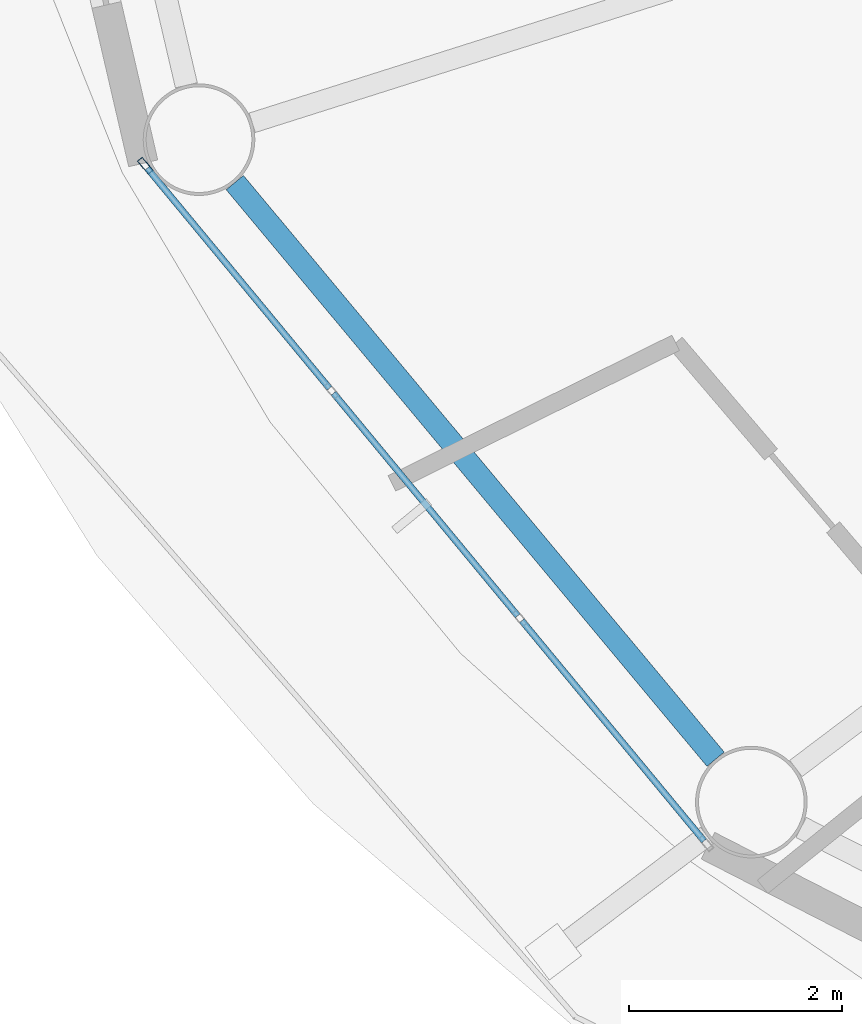
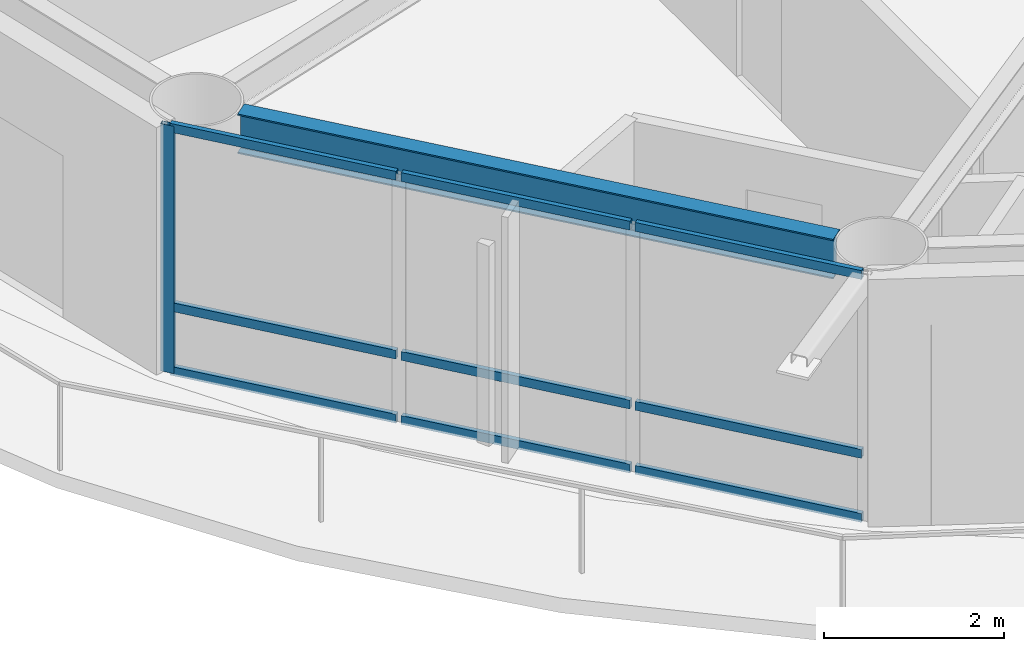
# One storey, part 3 of 23: 10 members, 1 beam, 1 element without a shape of its own.
"""IFC4 building model written with IfcOpenShell, lengths in metres."""

from ifc_helpers import new_model, si_unit, direction, frame, origin, origin_2d, place, context, subcontext, project, spatial, hollow_rectangle, i_section, extrude, material, layer, layer_set, material_profile, profile_set, type_object, element, aggregate, save


model = new_model("IFC4")

# Units and contexts
model_context = context("Model", 3, precision=1e-05, world=origin(), true_north=direction((0.0, 1.0)))
body_context = subcontext(model_context, "Body", "Model", "MODEL_VIEW")
ifc_project = project(units=[si_unit("LENGTHUNIT", "METRE"), si_unit("AREAUNIT", "SQUARE_METRE"), si_unit("VOLUMEUNIT", "CUBIC_METRE"), si_unit("PLANEANGLEUNIT", "RADIAN"), si_unit("MASSUNIT", "GRAM", prefix="KILO")], contexts=[model_context])

# Site, building, storey
site_placement = place(None, origin())
site = spatial("IfcSite", under=ifc_project, at=site_placement, CompositionType="ELEMENT")
building_placement = place(site_placement, origin())
building = spatial("IfcBuilding", under=site, at=building_placement, Name="Sarneth Arch Tower", CompositionType="ELEMENT")
storey_placement = place(building_placement, frame((0.0, 0.0, 246.0)))
storey = spatial("IfcBuildingStorey", under=building, at=storey_placement, Name="L63", CompositionType="ELEMENT", Elevation=246.0)

# Beam
ifc_material_1 = material(Name="Steel S355", Category="steel")
ifc_material_profile_1 = material_profile(ifc_material_1, i_section(OverallWidth=0.2109375, OverallDepth=0.5390625, WebThickness=0.01171875, FlangeThickness=0.018798828125, FilletRadius=0.01806640625, at=origin_2d()), Name="W530x109")
ifc_profile_set_1 = profile_set([ifc_material_profile_1], Name="Steel S355")
beam_type = type_object("IfcBeamType", Name="BM-RAD-530B", PredefinedType="BEAM", material=ifc_profile_set_1)
beam_placement = place(storey_placement, frame((25.16748046875, 34.249267578125, 3.090576171875), z_axis=(0.640364654985, -0.76807103099, 0.0), x_axis=(0.76807103099, 0.640364654985, 0.0)))
element("IfcBeam", 1, at=beam_placement, inside=storey, type_object=beam_type, Name="L63 Perimeter spandrel beam 10", PredefinedType="BEAM", context=body_context, shape_type="SweptSolid", body=[
    extrude(i_section(OverallWidth=0.2109375, OverallDepth=0.5390625, WebThickness=0.01171875, FlangeThickness=0.018798828125, FilletRadius=0.01806640625, at=origin_2d()), origin(), (0.0, 0.0, 1.0), 7.06005859375),
])

# Curtain wall, members
ifc_material_2 = material(Name="Anodised aluminium Type AA25 and solar-control low-e laminated IGU", Category="aluminium")
ifc_layer = layer(ifc_material_2, 0.179931640625)
ifc_layer_set = layer_set([ifc_layer], Name="Anodised aluminium Type AA25 and solar-control low-e laminated IGU")
curtain_wall_type = type_object("IfcCurtainWallType", Name="CW-RES-HIGH", PredefinedType="NOTDEFINED", material=ifc_layer_set)
curtain_wall_placement = place(storey_placement, origin())
curtain_wall = element("IfcCurtainWall", 2, at=curtain_wall_placement, inside=storey, type_object=curtain_wall_type, Name="L63 Unitised curtain wall facet 10", PredefinedType="NOTDEFINED")
ifc_material_3 = material(Name="Anodised Aluminium 6063-T6", Category="aluminium")
ifc_material_profile_2 = material_profile(ifc_material_3, hollow_rectangle(XDim=0.06005859375, YDim=0.159912109375, WallThickness=0.00390625, at=origin_2d()), Name="AL-MULL-160x60x4")
ifc_profile_set_2 = profile_set([ifc_material_profile_2], Name="Anodised Aluminium 6063-T6")
member_type_1 = type_object("IfcMemberType", Name="CW-MULLION", PredefinedType="MULLION", material=ifc_profile_set_2)
member_1_placement = place(storey_placement, frame((24.325439453125, 34.407470703125, 0.0), z_axis=(0.0, 0.0, 1.0), x_axis=(0.770359245933, 0.637610094184, 0.0)))
member_1 = element("IfcMember", 3, at=member_1_placement, type_object=member_type_1, Name="CW-SYS-6 mullion 1", PredefinedType="MULLION", context=body_context, shape_type="SweptSolid", body=[
    extrude(hollow_rectangle(XDim=0.06005859375, YDim=0.159912109375, WallThickness=0.00390625, at=origin_2d()), origin(), (0.0, 0.0, 1.0), 3.360107421875),
])
ifc_material_4 = material(Name="Anodised Aluminium 6063-T6", Category="aluminium")
ifc_material_profile_3 = material_profile(ifc_material_4, hollow_rectangle(XDim=0.06005859375, YDim=0.1201171875, WallThickness=0.00390625, at=origin_2d()), Name="AL-TRAN-120x60x4")
ifc_profile_set_3 = profile_set([ifc_material_profile_3], Name="Anodised Aluminium 6063-T6")
member_type_2 = type_object("IfcMemberType", Name="CW-TRANSOM", PredefinedType="USERDEFINED", material=ifc_profile_set_3)
member_2_placement = place(storey_placement, frame((24.344482421875, 34.38427734375, 0.030029296875), z_axis=(0.637651400067, -0.770325056059, 0.0), x_axis=(0.770325056059, 0.637651400067, 0.0)))
member_2 = element("IfcMember", 4, at=member_2_placement, type_object=member_type_2, Name="CW-SYS-6 transom 1.1", ObjectType="TRANSOM", PredefinedType="USERDEFINED", context=body_context, shape_type="SweptSolid", body=[
    extrude(hollow_rectangle(XDim=0.06005859375, YDim=0.1201171875, WallThickness=0.00390625, at=origin_2d()), origin(), (0.0, 0.0, 1.0), 2.6865234375),
])
member_3_placement = place(storey_placement, frame((24.344482421875, 34.38427734375, 0.89990234375), z_axis=(0.637651400067, -0.770325056059, 0.0), x_axis=(0.770325056059, 0.637651400067, 0.0)))
member_3 = element("IfcMember", 5, at=member_3_placement, type_object=member_type_2, Name="CW-SYS-6 transom 1.2", ObjectType="TRANSOM", PredefinedType="USERDEFINED", context=body_context, shape_type="SweptSolid", body=[
    extrude(hollow_rectangle(XDim=0.06005859375, YDim=0.1201171875, WallThickness=0.00390625, at=origin_2d()), origin(), (0.0, 0.0, 1.0), 2.6865234375),
])
member_4_placement = place(storey_placement, frame((24.344482421875, 34.38427734375, 3.330078125), z_axis=(0.637651400067, -0.770325056059, 0.0), x_axis=(0.770325056059, 0.637651400067, 0.0)))
member_4 = element("IfcMember", 6, at=member_4_placement, type_object=member_type_2, Name="CW-SYS-6 transom 1.3", ObjectType="TRANSOM", PredefinedType="USERDEFINED", context=body_context, shape_type="SweptSolid", body=[
    extrude(hollow_rectangle(XDim=0.06005859375, YDim=0.1201171875, WallThickness=0.00390625, at=origin_2d()), origin(), (0.0, 0.0, 1.0), 2.6865234375),
])
member_5_placement = place(storey_placement, frame((26.095703125, 32.268310546875, 0.030029296875), z_axis=(0.637617371902, -0.770353222261, 0.0), x_axis=(0.770353222261, 0.637617371902, 0.0)))
member_5 = element("IfcMember", 7, at=member_5_placement, type_object=member_type_2, Name="CW-SYS-6 transom 2.1", ObjectType="TRANSOM", PredefinedType="USERDEFINED", context=body_context, shape_type="SweptSolid", body=[
    extrude(hollow_rectangle(XDim=0.06005859375, YDim=0.1201171875, WallThickness=0.00390625, at=origin_2d()), origin(), (0.0, 0.0, 1.0), 2.716552734375),
])
member_6_placement = place(storey_placement, frame((26.095703125, 32.268310546875, 0.89990234375), z_axis=(0.637617371902, -0.770353222261, 0.0), x_axis=(0.770353222261, 0.637617371902, 0.0)))
member_6 = element("IfcMember", 8, at=member_6_placement, type_object=member_type_2, Name="CW-SYS-6 transom 2.2", ObjectType="TRANSOM", PredefinedType="USERDEFINED", context=body_context, shape_type="SweptSolid", body=[
    extrude(hollow_rectangle(XDim=0.06005859375, YDim=0.1201171875, WallThickness=0.00390625, at=origin_2d()), origin(), (0.0, 0.0, 1.0), 2.716552734375),
])
member_7_placement = place(storey_placement, frame((26.095703125, 32.268310546875, 3.330078125), z_axis=(0.637617371902, -0.770353222261, 0.0), x_axis=(0.770353222261, 0.637617371902, 0.0)))
member_7 = element("IfcMember", 9, at=member_7_placement, type_object=member_type_2, Name="CW-SYS-6 transom 2.3", ObjectType="TRANSOM", PredefinedType="USERDEFINED", context=body_context, shape_type="SweptSolid", body=[
    extrude(hollow_rectangle(XDim=0.06005859375, YDim=0.1201171875, WallThickness=0.00390625, at=origin_2d()), origin(), (0.0, 0.0, 1.0), 2.716552734375),
])
member_8_placement = place(storey_placement, frame((27.8662109375, 30.12939453125, 0.030029296875), z_axis=(0.637606765719, -0.770362000821, 0.0), x_axis=(0.770362000821, 0.637606765719, 0.0)))
member_8 = element("IfcMember", 10, at=member_8_placement, type_object=member_type_2, Name="CW-SYS-6 transom 3.1", ObjectType="TRANSOM", PredefinedType="USERDEFINED", context=body_context, shape_type="SweptSolid", body=[
    extrude(hollow_rectangle(XDim=0.06005859375, YDim=0.1201171875, WallThickness=0.00390625, at=origin_2d()), origin(), (0.0, 0.0, 1.0), 2.686767578125),
])
member_9_placement = place(storey_placement, frame((27.8662109375, 30.12939453125, 0.89990234375), z_axis=(0.637606765719, -0.770362000821, 0.0), x_axis=(0.770362000821, 0.637606765719, 0.0)))
member_9 = element("IfcMember", 11, at=member_9_placement, type_object=member_type_2, Name="CW-SYS-6 transom 3.2", ObjectType="TRANSOM", PredefinedType="USERDEFINED", context=body_context, shape_type="SweptSolid", body=[
    extrude(hollow_rectangle(XDim=0.06005859375, YDim=0.1201171875, WallThickness=0.00390625, at=origin_2d()), origin(), (0.0, 0.0, 1.0), 2.686767578125),
])
member_10_placement = place(storey_placement, frame((27.8662109375, 30.12939453125, 3.330078125), z_axis=(0.637606765719, -0.770362000821, 0.0), x_axis=(0.770362000821, 0.637606765719, 0.0)))
member_10 = element("IfcMember", 12, at=member_10_placement, type_object=member_type_2, Name="CW-SYS-6 transom 3.3", ObjectType="TRANSOM", PredefinedType="USERDEFINED", context=body_context, shape_type="SweptSolid", body=[
    extrude(hollow_rectangle(XDim=0.06005859375, YDim=0.1201171875, WallThickness=0.00390625, at=origin_2d()), origin(), (0.0, 0.0, 1.0), 2.686767578125),
])
aggregate(curtain_wall, [member_1, member_2, member_3, member_4, member_5, member_6, member_7, member_8, member_9, member_10])

save(model, "model.ifc")
